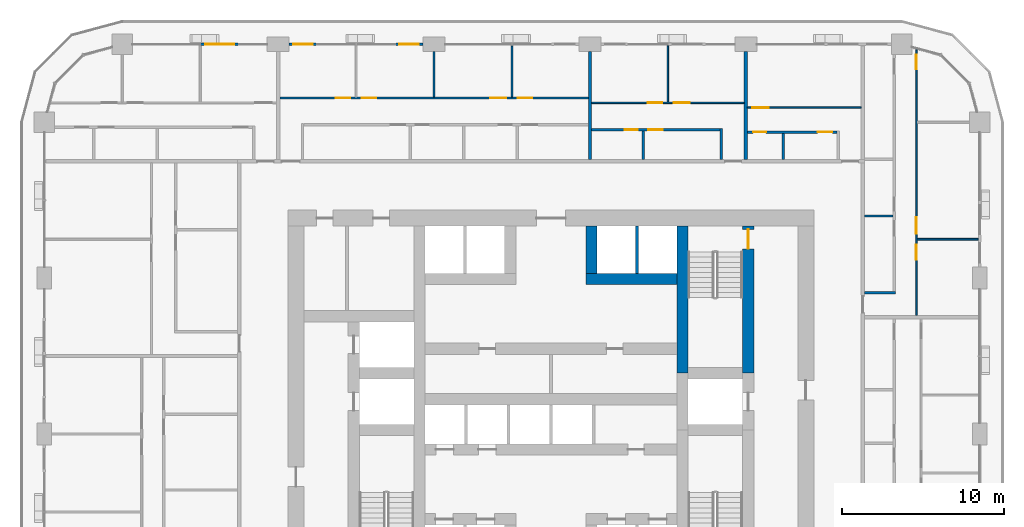
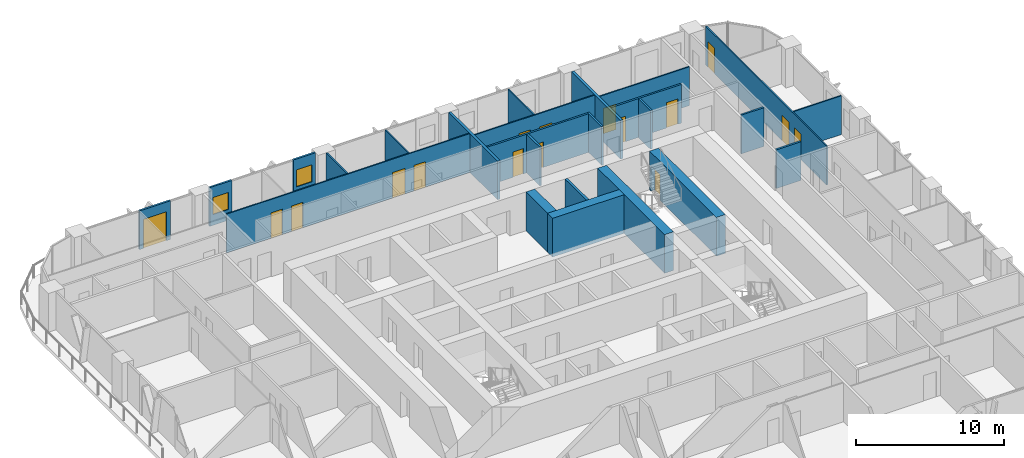
# One storey, part 14 of 21: 25 walls, 16 doors, 2 windows, 18 openings.
"""IFC4 building model written with IfcOpenShell, lengths in metres."""

from ifc_helpers import new_model, si_unit, direction, frame, frame_2d, origin, place, context, subcontext, project, spatial, rectangle, extrude, material, layer, layer_set, type_object, element, fill, save


model = new_model("IFC4")

# Units and contexts
model_context = context("Model", 3, precision=1e-05, world=origin(), true_north=direction((0.0, 1.0)))
body_context = subcontext(model_context, "Body", "Model", "MODEL_VIEW")
ifc_project = project(units=[si_unit("LENGTHUNIT", "METRE"), si_unit("AREAUNIT", "SQUARE_METRE"), si_unit("VOLUMEUNIT", "CUBIC_METRE"), si_unit("PLANEANGLEUNIT", "RADIAN"), si_unit("MASSUNIT", "GRAM", prefix="KILO")], contexts=[model_context])

# Site, building, storey
site_placement = place(None, origin())
site = spatial("IfcSite", under=ifc_project, at=site_placement, CompositionType="ELEMENT")
building_placement = place(site_placement, origin())
building = spatial("IfcBuilding", under=site, at=building_placement, Name="Madar Terraces", CompositionType="ELEMENT")
storey_placement = place(building_placement, frame((0.0, 0.0, 29.39990234375)))
storey = spatial("IfcBuildingStorey", under=building, at=storey_placement, Name="L06", CompositionType="ELEMENT", Elevation=29.39990234375)

# Wall
ifc_material_1 = material(Name="Concrete C80/95", Category="concrete")
ifc_layer_1 = layer(ifc_material_1, 0.699951171875)
ifc_layer_set_1 = layer_set([ifc_layer_1], Name="Concrete C80/95 (CIW1 RC wall 700)")
wall_type_1 = type_object("IfcWallType", Name="CIW1 RC wall 700", PredefinedType="SHEAR", material=ifc_layer_set_1)
wall_1_placement = place(storey_placement, frame((39.300048828125, 27.75, 0.0), z_axis=(0.0, 0.0, 1.0), x_axis=(0.0, 1.0, 0.0)))
element("IfcWall", 1, at=wall_1_placement, inside=storey, type_object=wall_type_1, Name="CORE SHAFT WALL", PredefinedType="SHEAR", context=body_context, shape_type="SweptSolid", body=[
    extrude(rectangle(XDim=9.050048828125, YDim=0.699951171875, at=frame_2d((4.52490234375, 0.0))), origin(), (0.0, 0.0, 1.0), 3.2001953125),
])

# Wall, opening, door
wall_2_placement = place(storey_placement, frame((43.35009765625, 27.75, 0.0), z_axis=(0.0, 0.0, 1.0), x_axis=(0.0, 1.0, 0.0)))
wall_2 = element("IfcWall", 2, at=wall_2_placement, inside=storey, type_object=wall_type_1, Name="CORE SHAFT WALL", PredefinedType="SHEAR", context=body_context, shape_type="SweptSolid", body=[
    extrude(rectangle(XDim=9.050048828125, YDim=0.699951171875, at=frame_2d((4.52490234375, 0.0))), origin(), (0.0, 0.0, 1.0), 3.2001953125),
])
opening_1_placement = place(wall_2_placement, frame((7.64990234375, 0.0, 0.0)))
opening_1 = element("IfcOpeningElement", 3, at=opening_1_placement, cuts=wall_2, Name="Opening SD1", PredefinedType="OPENING", context=body_context, shape_type="SweptSolid", body=[
    extrude(rectangle(XDim=1.199951171875, YDim=2.10009765625, at=frame_2d((0.60009765625, 1.050048828125))), frame((0.0, 0.35986328125, 0.0), z_axis=(0.0, -1.0, 0.0), x_axis=(1.0, 0.0, 0.0)), (0.0, 0.0, 1.0), 0.719970703125),
])
ifc_material_2 = material(Name="Steel door leaf", Category="steel")
door_type_1 = type_object("IfcDoorType", Name="Stair door 1200 x 2100", OperationType="NOTDEFINED", PredefinedType="DOOR", material=ifc_material_2)
door_1_placement = place(opening_1_placement, origin())
door_1 = element("IfcDoor", 4, at=door_1_placement, inside=storey, type_object=door_type_1, Name="STAIR DOOR", OperationType="SINGLE_SWING_RIGHT", OverallHeight=2.10009765625, OverallWidth=1.199951171875, PredefinedType="DOOR", context=body_context, shape_type="SweptSolid", body=[
    extrude(rectangle(XDim=1.199951171875, YDim=2.10009765625, at=frame_2d((0.60009765625, 1.050048828125))), frame((0.0, 0.02490234375, 0.0), z_axis=(0.0, -1.0, 0.0), x_axis=(1.0, 0.0, 0.0)), (0.0, 0.0, 1.0), 0.050048828125),
])
fill(opening_1, door_1)

# Walls
wall_3_placement = place(storey_placement, frame((33.35009765625, 33.550048828125, 0.0), z_axis=(0.0, 0.0, 1.0), x_axis=(1.0, 0.0, 0.0)))
element("IfcWall", 5, at=wall_3_placement, inside=storey, type_object=wall_type_1, Name="CORE SHAFT WALL", PredefinedType="SHEAR", context=body_context, shape_type="SweptSolid", body=[
    extrude(rectangle(XDim=5.599853515625, YDim=0.699951171875, at=frame_2d((2.7998046875, 0.0))), origin(), (0.0, 0.0, 1.0), 3.2001953125),
])
wall_4_placement = place(storey_placement, frame((33.699951171875, 33.89990234375, 0.0), z_axis=(0.0, 0.0, 1.0), x_axis=(0.0, 1.0, 0.0)))
element("IfcWall", 6, at=wall_4_placement, inside=storey, type_object=wall_type_1, Name="CORE SHAFT WALL", PredefinedType="SHEAR", context=body_context, shape_type="SweptSolid", body=[
    extrude(rectangle(XDim=2.900146484375, YDim=0.699951171875, at=frame_2d((1.4501953125, 0.0))), origin(), (0.0, 0.0, 1.0), 3.2001953125),
])
ifc_material_3 = material(Name="Concrete C40/50", Category="concrete")
ifc_layer_2 = layer(ifc_material_3, 0.199951171875)
ifc_layer_set_2 = layer_set([ifc_layer_2], Name="Core shaft dividing wall 200 C40/50")
wall_type_2 = type_object("IfcWallType", Name="Core shaft dividing wall 200 C40/50", PredefinedType="SOLIDWALL", material=ifc_layer_set_2)
wall_5_placement = place(storey_placement, frame((36.5, 33.89990234375, 0.0), z_axis=(0.0, 0.0, 1.0), x_axis=(0.0, 1.0, 0.0)))
element("IfcWall", 7, at=wall_5_placement, inside=storey, type_object=wall_type_2, Name="SHAFT DIVIDING WALL", PredefinedType="SOLIDWALL", context=body_context, shape_type="SweptSolid", body=[
    extrude(rectangle(XDim=2.900146484375, YDim=0.199951171875, at=frame_2d((1.4501953125, 0.0))), origin(), (0.0, 0.0, 1.0), 3.2001953125),
])

# Wall, opening, window
ifc_material_4 = material(Name="Aluminium composite panel, black, over insulated backing", Category="aluminium")
ifc_layer_3 = layer(ifc_material_4, 0.14990234375)
ifc_layer_set_3 = layer_set([ifc_layer_3], Name="Facade bay panel 150")
wall_type_3 = type_object("IfcWallType", Name="Facade bay panel 150", PredefinedType="SOLIDWALL", material=ifc_layer_set_3)
wall_6_placement = place(storey_placement, frame((23.324951171875, 48.0, 0.0), z_axis=(0.0, 0.0, 1.0), x_axis=(-1.0, 0.0, 0.0)))
wall_6 = element("IfcWall", 8, at=wall_6_placement, inside=storey, type_object=wall_type_3, Name="Facade bay panel", PredefinedType="SOLIDWALL", context=body_context, shape_type="SweptSolid", body=[
    extrude(rectangle(XDim=1.724853515625, YDim=0.14990234375, at=frame_2d((0.8623046875, 0.0))), origin(), (0.0, 0.0, 1.0), 3.2001953125),
])
opening_2_placement = place(wall_6_placement, frame((0.262451171875, 0.0, 0.89990234375)))
opening_2 = element("IfcOpeningElement", 9, at=opening_2_placement, cuts=wall_6, Name="Opening W1", PredefinedType="OPENING", context=body_context, shape_type="SweptSolid", body=[
    extrude(rectangle(XDim=1.199951171875, YDim=1.39990234375, at=frame_2d((0.60009765625, 0.699951171875))), frame((0.0, 0.0849609375, 0.0), z_axis=(0.0, -1.0, 0.0), x_axis=(1.0, 0.0, 0.0)), (0.0, 0.0, 1.0), 0.169921875),
])
ifc_material_5 = material(Name="Glass, clear, with black aluminium frame", Category="aluminium")
window_type = type_object("IfcWindowType", Name="Vent window 1200 x 1400", PartitioningType="SINGLE_PANEL", PredefinedType="WINDOW", material=ifc_material_5)
window_1_placement = place(opening_2_placement, origin())
window_1 = element("IfcWindow", 10, at=window_1_placement, inside=storey, type_object=window_type, Name="Operable vent window", OverallHeight=1.39990234375, OverallWidth=1.199951171875, PartitioningType="SINGLE_PANEL", PredefinedType="WINDOW", context=body_context, shape_type="SweptSolid", body=[
    extrude(rectangle(XDim=1.199951171875, YDim=1.39990234375, at=frame_2d((0.60009765625, 0.699951171875))), frame((0.0, 0.030029296875, 0.0), z_axis=(0.0, -1.0, 0.0), x_axis=(1.0, 0.0, 0.0)), (0.0, 0.0, 1.0), 0.06005859375),
])
fill(opening_2, window_1)

wall_7_placement = place(storey_placement, frame((16.800048828125, 48.0, 0.0), z_axis=(0.0, 0.0, 1.0), x_axis=(-1.0, 0.0, 0.0)))
wall_7 = element("IfcWall", 11, at=wall_7_placement, inside=storey, type_object=wall_type_3, Name="Facade bay panel", PredefinedType="SOLIDWALL", context=body_context, shape_type="SweptSolid", body=[
    extrude(rectangle(XDim=1.72509765625, YDim=0.14990234375, at=frame_2d((0.862548828125, 0.0))), origin(), (0.0, 0.0, 1.0), 3.2001953125),
])
opening_3_placement = place(wall_7_placement, frame((0.262451171875, 0.0, 0.89990234375)))
opening_3 = element("IfcOpeningElement", 12, at=opening_3_placement, cuts=wall_7, Name="Opening W1", PredefinedType="OPENING", context=body_context, shape_type="SweptSolid", body=[
    extrude(rectangle(XDim=1.199951171875, YDim=1.39990234375, at=frame_2d((0.60009765625, 0.699951171875))), frame((0.0, 0.0849609375, 0.0), z_axis=(0.0, -1.0, 0.0), x_axis=(1.0, 0.0, 0.0)), (0.0, 0.0, 1.0), 0.169921875),
])
window_2_placement = place(opening_3_placement, origin())
window_2 = element("IfcWindow", 13, at=window_2_placement, inside=storey, type_object=window_type, Name="Operable vent window", OverallHeight=1.39990234375, OverallWidth=1.199951171875, PartitioningType="SINGLE_PANEL", PredefinedType="WINDOW", context=body_context, shape_type="SweptSolid", body=[
    extrude(rectangle(XDim=1.199951171875, YDim=1.39990234375, at=frame_2d((0.60009765625, 0.699951171875))), frame((0.0, 0.030029296875, 0.0), z_axis=(0.0, -1.0, 0.0), x_axis=(1.0, 0.0, 0.0)), (0.0, 0.0, 1.0), 0.06005859375),
])
fill(opening_3, window_2)

# Wall, opening, door
wall_8_placement = place(storey_placement, frame((12.0, 48.0, 0.0), z_axis=(0.0, 0.0, 1.0), x_axis=(-1.0, 0.0, 0.0)))
wall_8 = element("IfcWall", 14, at=wall_8_placement, inside=storey, type_object=wall_type_3, Name="Facade bay panel", PredefinedType="SOLIDWALL", context=body_context, shape_type="SweptSolid", body=[
    extrude(rectangle(XDim=2.39990234375, YDim=0.14990234375, at=frame_2d((1.199951171875, 0.0))), origin(), (0.0, 0.0, 1.0), 3.2001953125),
])
opening_4_placement = place(wall_8_placement, frame((0.300048828125, 0.0, 0.0)))
opening_4 = element("IfcOpeningElement", 15, at=opening_4_placement, cuts=wall_8, Name="Opening ED1", PredefinedType="OPENING", context=body_context, shape_type="SweptSolid", body=[
    extrude(rectangle(XDim=1.800048828125, YDim=2.39990234375, at=frame_2d((0.89990234375, 1.199951171875))), frame((0.0, 0.0849609375, 0.0), z_axis=(0.0, -1.0, 0.0), x_axis=(1.0, 0.0, 0.0)), (0.0, 0.0, 1.0), 0.169921875),
])
ifc_material_6 = material(Name="Glass, clear, with black aluminium frame", Category="aluminium")
door_type_2 = type_object("IfcDoorType", Name="Balcony and terrace sliding door 1800 x 2400", OperationType="SLIDING_TO_LEFT", PredefinedType="DOOR", material=ifc_material_6)
door_2_placement = place(opening_4_placement, origin())
door_2 = element("IfcDoor", 16, at=door_2_placement, inside=storey, type_object=door_type_2, Name="Balcony door", OperationType="SLIDING_TO_LEFT", OverallHeight=2.39990234375, OverallWidth=1.800048828125, PredefinedType="DOOR", context=body_context, shape_type="SweptSolid", body=[
    extrude(rectangle(XDim=1.800048828125, YDim=2.39990234375, at=frame_2d((0.89990234375, 1.199951171875))), frame((0.0, 0.02490234375, 0.0), z_axis=(0.0, -1.0, 0.0), x_axis=(1.0, 0.0, 0.0)), (0.0, 0.0, 1.0), 0.050048828125),
])
fill(opening_4, door_2)

# Wall
ifc_material_7 = material(Name="Gypsum board on steel studs", Category="steel")
ifc_layer_4 = layer(ifc_material_7, 0.10009765625)
ifc_layer_set_4 = layer_set([ifc_layer_4], Name="Flat partition 100")
wall_type_4 = type_object("IfcWallType", Name="Flat partition 100", PredefinedType="PARTITIONING", material=ifc_layer_set_4)
wall_9_placement = place(storey_placement, frame((53.75, 36.0, 0.0), z_axis=(0.0, 0.0, 1.0), x_axis=(1.0, 0.0, 0.0)))
element("IfcWall", 17, at=wall_9_placement, inside=storey, type_object=wall_type_4, Name="Flat partition 100", PredefinedType="PARTITIONING", context=body_context, shape_type="SweptSolid", body=[
    extrude(rectangle(XDim=3.75, YDim=0.10009765625, at=frame_2d((1.875, 0.0))), origin(), (0.0, 0.0, 1.0), 3.2001953125),
])

# Wall, openings, doors
wall_10_placement = place(storey_placement, frame((53.699951171875, 47.65869140625, 0.0), z_axis=(0.0, 0.0, 1.0), x_axis=(0.0, -1.0, 0.0)))
wall_10 = element("IfcWall", 18, at=wall_10_placement, inside=storey, type_object=wall_type_4, Name="Flat partition 100", PredefinedType="PARTITIONING", context=body_context, shape_type="SweptSolid", body=[
    extrude(rectangle(XDim=16.358642578125, YDim=0.10009765625, at=frame_2d((8.17919921875, 0.0))), origin(), (0.0, 0.0, 1.0), 3.2001953125),
])
opening_5_placement = place(wall_10_placement, frame((12.0087890625, 0.0, 0.0)))
opening_5 = element("IfcOpeningElement", 19, at=opening_5_placement, cuts=wall_10, Name="Opening D2", PredefinedType="OPENING", context=body_context, shape_type="SweptSolid", body=[
    extrude(rectangle(XDim=0.89990234375, YDim=2.10009765625, at=frame_2d((0.449951171875, 1.050048828125))), frame((0.0, 0.06005859375, 0.0), z_axis=(0.0, -1.0, 0.0), x_axis=(1.0, 0.0, 0.0)), (0.0, 0.0, 1.0), 0.1201171875),
])
opening_6_placement = place(wall_10_placement, frame((10.308837890625, 0.0, 0.0)))
opening_6 = element("IfcOpeningElement", 20, at=opening_6_placement, cuts=wall_10, Name="Opening D3", PredefinedType="OPENING", context=body_context, shape_type="SweptSolid", body=[
    extrude(rectangle(XDim=1.0, YDim=2.10009765625, at=frame_2d((0.5, 1.050048828125))), frame((0.0, 0.06005859375, 0.0), z_axis=(0.0, -1.0, 0.0), x_axis=(1.0, 0.0, 0.0)), (0.0, 0.0, 1.0), 0.1201171875),
])
opening_7_placement = place(wall_10_placement, frame((0.300048828125, 0.0, 0.0)))
opening_7 = element("IfcOpeningElement", 21, at=opening_7_placement, cuts=wall_10, Name="Opening D2", PredefinedType="OPENING", context=body_context, shape_type="SweptSolid", body=[
    extrude(rectangle(XDim=0.89990234375, YDim=2.10009765625, at=frame_2d((0.449951171875, 1.050048828125))), frame((0.0, 0.06005859375, 0.0), z_axis=(0.0, -1.0, 0.0), x_axis=(1.0, 0.0, 0.0)), (0.0, 0.0, 1.0), 0.1201171875),
])
ifc_material_8 = material(Name="Timber door leaf", Category="wood")
door_type_3 = type_object("IfcDoorType", Name="Flat living room door 1000", OperationType="NOTDEFINED", PredefinedType="DOOR", material=ifc_material_8)
door_3_placement = place(opening_6_placement, origin())
door_3 = element("IfcDoor", 22, at=door_3_placement, inside=storey, type_object=door_type_3, Name="Flat living room door 1000", OperationType="SINGLE_SWING_RIGHT", OverallHeight=2.10009765625, OverallWidth=1.0, PredefinedType="DOOR", context=body_context, shape_type="SweptSolid", body=[
    extrude(rectangle(XDim=1.0, YDim=2.10009765625, at=frame_2d((0.5, 1.050048828125))), frame((0.0, 0.02490234375, 0.0), z_axis=(0.0, -1.0, 0.0), x_axis=(1.0, 0.0, 0.0)), (0.0, 0.0, 1.0), 0.050048828125),
])
fill(opening_6, door_3)
ifc_material_9 = material(Name="Timber door leaf", Category="wood")
door_type_4 = type_object("IfcDoorType", Name="Flat room door 900", OperationType="NOTDEFINED", PredefinedType="DOOR", material=ifc_material_9)
door_4_placement = place(opening_5_placement, origin())
door_4 = element("IfcDoor", 23, at=door_4_placement, inside=storey, type_object=door_type_4, Name="Flat room door 900", OperationType="SINGLE_SWING_LEFT", OverallHeight=2.10009765625, OverallWidth=0.89990234375, PredefinedType="DOOR", context=body_context, shape_type="SweptSolid", body=[
    extrude(rectangle(XDim=0.89990234375, YDim=2.10009765625, at=frame_2d((0.449951171875, 1.050048828125))), frame((0.0, 0.02490234375, 0.0), z_axis=(0.0, -1.0, 0.0), x_axis=(1.0, 0.0, 0.0)), (0.0, 0.0, 1.0), 0.050048828125),
])
fill(opening_5, door_4)
door_5_placement = place(opening_7_placement, origin())
door_5 = element("IfcDoor", 24, at=door_5_placement, inside=storey, type_object=door_type_4, Name="Flat room door 900", OperationType="SINGLE_SWING_LEFT", OverallHeight=2.10009765625, OverallWidth=0.89990234375, PredefinedType="DOOR", context=body_context, shape_type="SweptSolid", body=[
    extrude(rectangle(XDim=0.89990234375, YDim=2.10009765625, at=frame_2d((0.449951171875, 1.050048828125))), frame((0.0, 0.02490234375, 0.0), z_axis=(0.0, -1.0, 0.0), x_axis=(1.0, 0.0, 0.0)), (0.0, 0.0, 1.0), 0.050048828125),
])
fill(opening_7, door_5)

# Wall, opening, door
wall_11_placement = place(storey_placement, frame((43.300048828125, 44.10009765625, 0.0), z_axis=(0.0, 0.0, 1.0), x_axis=(1.0, 0.0, 0.0)))
wall_11 = element("IfcWall", 25, at=wall_11_placement, inside=storey, type_object=wall_type_4, Name="Flat partition 100", PredefinedType="PARTITIONING", context=body_context, shape_type="SweptSolid", body=[
    extrude(rectangle(XDim=7.0, YDim=0.10009765625, at=frame_2d((3.5, 0.0))), origin(), (0.0, 0.0, 1.0), 3.2001953125),
])
opening_8_placement = place(wall_11_placement, frame((0.300048828125, 0.0, 0.0)))
opening_8 = element("IfcOpeningElement", 26, at=opening_8_placement, cuts=wall_11, Name="Opening D3", PredefinedType="OPENING", context=body_context, shape_type="SweptSolid", body=[
    extrude(rectangle(XDim=1.0, YDim=2.10009765625, at=frame_2d((0.5, 1.050048828125))), frame((0.0, 0.06005859375, 0.0), z_axis=(0.0, -1.0, 0.0), x_axis=(1.0, 0.0, 0.0)), (0.0, 0.0, 1.0), 0.1201171875),
])
door_6_placement = place(opening_8_placement, origin())
door_6 = element("IfcDoor", 27, at=door_6_placement, inside=storey, type_object=door_type_3, Name="Flat living room door 1000", OperationType="SINGLE_SWING_LEFT", OverallHeight=2.10009765625, OverallWidth=1.0, PredefinedType="DOOR", context=body_context, shape_type="SweptSolid", body=[
    extrude(rectangle(XDim=1.0, YDim=2.10009765625, at=frame_2d((0.5, 1.050048828125))), frame((0.0, 0.02490234375, 0.0), z_axis=(0.0, -1.0, 0.0), x_axis=(1.0, 0.0, 0.0)), (0.0, 0.0, 1.0), 0.050048828125),
])
fill(opening_8, door_6)

# Wall
wall_12_placement = place(storey_placement, frame((38.39990234375, 44.449951171875, 0.0), z_axis=(0.0, 0.0, 1.0), x_axis=(0.0, 1.0, 0.0)))
element("IfcWall", 28, at=wall_12_placement, inside=storey, type_object=wall_type_4, Name="Flat partition 100", PredefinedType="PARTITIONING", context=body_context, shape_type="SweptSolid", body=[
    extrude(rectangle(XDim=3.449951171875, YDim=0.10009765625, at=frame_2d((1.72509765625, 0.0))), origin(), (0.0, 0.0, 1.0), 3.2001953125),
])

# Wall, openings, doors
wall_13_placement = place(storey_placement, frame((33.699951171875, 44.39990234375, 0.0), z_axis=(0.0, 0.0, 1.0), x_axis=(1.0, 0.0, 0.0)))
wall_13 = element("IfcWall", 29, at=wall_13_placement, inside=storey, type_object=wall_type_4, Name="Flat partition 100", PredefinedType="PARTITIONING", context=body_context, shape_type="SweptSolid", body=[
    extrude(rectangle(XDim=9.400146484375, YDim=0.10009765625, at=frame_2d((4.7001953125, 0.0))), origin(), (0.0, 0.0, 1.0), 3.2001953125),
])
opening_9_placement = place(wall_13_placement, frame((5.050048828125, 0.0, 0.0)))
opening_9 = element("IfcOpeningElement", 30, at=opening_9_placement, cuts=wall_13, Name="Opening D3", PredefinedType="OPENING", context=body_context, shape_type="SweptSolid", body=[
    extrude(rectangle(XDim=1.0, YDim=2.10009765625, at=frame_2d((0.5, 1.050048828125))), frame((0.0, 0.06005859375, 0.0), z_axis=(0.0, -1.0, 0.0), x_axis=(1.0, 0.0, 0.0)), (0.0, 0.0, 1.0), 0.1201171875),
])
opening_10_placement = place(wall_13_placement, frame((3.449951171875, 0.0, 0.0)))
opening_10 = element("IfcOpeningElement", 31, at=opening_10_placement, cuts=wall_13, Name="Opening D2", PredefinedType="OPENING", context=body_context, shape_type="SweptSolid", body=[
    extrude(rectangle(XDim=0.89990234375, YDim=2.10009765625, at=frame_2d((0.449951171875, 1.050048828125))), frame((0.0, 0.06005859375, 0.0), z_axis=(0.0, -1.0, 0.0), x_axis=(1.0, 0.0, 0.0)), (0.0, 0.0, 1.0), 0.1201171875),
])
door_7_placement = place(opening_9_placement, origin())
door_7 = element("IfcDoor", 32, at=door_7_placement, inside=storey, type_object=door_type_3, Name="Flat living room door 1000", OperationType="SINGLE_SWING_LEFT", OverallHeight=2.10009765625, OverallWidth=1.0, PredefinedType="DOOR", context=body_context, shape_type="SweptSolid", body=[
    extrude(rectangle(XDim=1.0, YDim=2.10009765625, at=frame_2d((0.5, 1.050048828125))), frame((0.0, 0.02490234375, 0.0), z_axis=(0.0, -1.0, 0.0), x_axis=(1.0, 0.0, 0.0)), (0.0, 0.0, 1.0), 0.050048828125),
])
fill(opening_9, door_7)
door_8_placement = place(opening_10_placement, origin())
door_8 = element("IfcDoor", 33, at=door_8_placement, inside=storey, type_object=door_type_4, Name="Flat room door 900", OperationType="SINGLE_SWING_RIGHT", OverallHeight=2.10009765625, OverallWidth=0.89990234375, PredefinedType="DOOR", context=body_context, shape_type="SweptSolid", body=[
    extrude(rectangle(XDim=0.89990234375, YDim=2.10009765625, at=frame_2d((0.449951171875, 1.050048828125))), frame((0.0, 0.02490234375, 0.0), z_axis=(0.0, -1.0, 0.0), x_axis=(1.0, 0.0, 0.0)), (0.0, 0.0, 1.0), 0.050048828125),
])
fill(opening_10, door_8)

# Walls
wall_14_placement = place(storey_placement, frame((24.0, 44.75, 0.0), z_axis=(0.0, 0.0, 1.0), x_axis=(0.0, 1.0, 0.0)))
element("IfcWall", 34, at=wall_14_placement, inside=storey, type_object=wall_type_4, Name="Flat partition 100", PredefinedType="PARTITIONING", context=body_context, shape_type="SweptSolid", body=[
    extrude(rectangle(XDim=2.800048828125, YDim=0.10009765625, at=frame_2d((1.39990234375, 0.0))), origin(), (0.0, 0.0, 1.0), 3.2001953125),
])
wall_15_placement = place(storey_placement, frame((28.800048828125, 44.75, 0.0), z_axis=(0.0, 0.0, 1.0), x_axis=(0.0, 1.0, 0.0)))
element("IfcWall", 35, at=wall_15_placement, inside=storey, type_object=wall_type_4, Name="Flat partition 100", PredefinedType="PARTITIONING", context=body_context, shape_type="SweptSolid", body=[
    extrude(rectangle(XDim=3.14990234375, YDim=0.10009765625, at=frame_2d((1.574951171875, 0.0))), origin(), (0.0, 0.0, 1.0), 3.2001953125),
])

# Wall, openings, doors
wall_16_placement = place(storey_placement, frame((14.5, 44.699951171875, 0.0), z_axis=(0.0, 0.0, 1.0), x_axis=(1.0, 0.0, 0.0)))
wall_16 = element("IfcWall", 36, at=wall_16_placement, inside=storey, type_object=wall_type_4, Name="Flat partition 100", PredefinedType="PARTITIONING", context=body_context, shape_type="SweptSolid", body=[
    extrude(rectangle(XDim=19.0, YDim=0.10009765625, at=frame_2d((9.5, 0.0))), origin(), (0.0, 0.0, 1.0), 3.2001953125),
])
opening_11_placement = place(wall_16_placement, frame((3.449951171875, 0.0, 0.0)))
opening_11 = element("IfcOpeningElement", 37, at=opening_11_placement, cuts=wall_16, Name="Opening D2", PredefinedType="OPENING", context=body_context, shape_type="SweptSolid", body=[
    extrude(rectangle(XDim=0.89990234375, YDim=2.10009765625, at=frame_2d((0.449951171875, 1.050048828125))), frame((0.0, 0.06005859375, 0.0), z_axis=(0.0, -1.0, 0.0), x_axis=(1.0, 0.0, 0.0)), (0.0, 0.0, 1.0), 0.1201171875),
])
opening_12_placement = place(wall_16_placement, frame((5.050048828125, 0.0, 0.0)))
opening_12 = element("IfcOpeningElement", 38, at=opening_12_placement, cuts=wall_16, Name="Opening D2", PredefinedType="OPENING", context=body_context, shape_type="SweptSolid", body=[
    extrude(rectangle(XDim=0.89990234375, YDim=2.10009765625, at=frame_2d((0.449951171875, 1.050048828125))), frame((0.0, 0.06005859375, 0.0), z_axis=(0.0, -1.0, 0.0), x_axis=(1.0, 0.0, 0.0)), (0.0, 0.0, 1.0), 0.1201171875),
])
opening_13_placement = place(wall_16_placement, frame((12.949951171875, 0.0, 0.0)))
opening_13 = element("IfcOpeningElement", 39, at=opening_13_placement, cuts=wall_16, Name="Opening D3", PredefinedType="OPENING", context=body_context, shape_type="SweptSolid", body=[
    extrude(rectangle(XDim=1.0, YDim=2.10009765625, at=frame_2d((0.5, 1.050048828125))), frame((0.0, 0.06005859375, 0.0), z_axis=(0.0, -1.0, 0.0), x_axis=(1.0, 0.0, 0.0)), (0.0, 0.0, 1.0), 0.1201171875),
])
opening_14_placement = place(wall_16_placement, frame((14.64990234375, 0.0, 0.0)))
opening_14 = element("IfcOpeningElement", 40, at=opening_14_placement, cuts=wall_16, Name="Opening D2", PredefinedType="OPENING", context=body_context, shape_type="SweptSolid", body=[
    extrude(rectangle(XDim=0.89990234375, YDim=2.10009765625, at=frame_2d((0.449951171875, 1.050048828125))), frame((0.0, 0.06005859375, 0.0), z_axis=(0.0, -1.0, 0.0), x_axis=(1.0, 0.0, 0.0)), (0.0, 0.0, 1.0), 0.1201171875),
])
door_9_placement = place(opening_13_placement, origin())
door_9 = element("IfcDoor", 41, at=door_9_placement, inside=storey, type_object=door_type_3, Name="Flat living room door 1000", OperationType="SINGLE_SWING_RIGHT", OverallHeight=2.10009765625, OverallWidth=1.0, PredefinedType="DOOR", context=body_context, shape_type="SweptSolid", body=[
    extrude(rectangle(XDim=1.0, YDim=2.10009765625, at=frame_2d((0.5, 1.050048828125))), frame((0.0, 0.02490234375, 0.0), z_axis=(0.0, -1.0, 0.0), x_axis=(1.0, 0.0, 0.0)), (0.0, 0.0, 1.0), 0.050048828125),
])
fill(opening_13, door_9)
door_10_placement = place(opening_11_placement, origin())
door_10 = element("IfcDoor", 42, at=door_10_placement, inside=storey, type_object=door_type_4, Name="Flat room door 900", OperationType="SINGLE_SWING_RIGHT", OverallHeight=2.10009765625, OverallWidth=0.89990234375, PredefinedType="DOOR", context=body_context, shape_type="SweptSolid", body=[
    extrude(rectangle(XDim=0.89990234375, YDim=2.10009765625, at=frame_2d((0.449951171875, 1.050048828125))), frame((0.0, 0.02490234375, 0.0), z_axis=(0.0, -1.0, 0.0), x_axis=(1.0, 0.0, 0.0)), (0.0, 0.0, 1.0), 0.050048828125),
])
fill(opening_11, door_10)
door_11_placement = place(opening_12_placement, origin())
door_11 = element("IfcDoor", 43, at=door_11_placement, inside=storey, type_object=door_type_4, Name="Flat room door 900", OperationType="SINGLE_SWING_LEFT", OverallHeight=2.10009765625, OverallWidth=0.89990234375, PredefinedType="DOOR", context=body_context, shape_type="SweptSolid", body=[
    extrude(rectangle(XDim=0.89990234375, YDim=2.10009765625, at=frame_2d((0.449951171875, 1.050048828125))), frame((0.0, 0.02490234375, 0.0), z_axis=(0.0, -1.0, 0.0), x_axis=(1.0, 0.0, 0.0)), (0.0, 0.0, 1.0), 0.050048828125),
])
fill(opening_12, door_11)
door_12_placement = place(opening_14_placement, origin())
door_12 = element("IfcDoor", 44, at=door_12_placement, inside=storey, type_object=door_type_4, Name="Flat room door 900", OperationType="SINGLE_SWING_LEFT", OverallHeight=2.10009765625, OverallWidth=0.89990234375, PredefinedType="DOOR", context=body_context, shape_type="SweptSolid", body=[
    extrude(rectangle(XDim=0.89990234375, YDim=2.10009765625, at=frame_2d((0.449951171875, 1.050048828125))), frame((0.0, 0.02490234375, 0.0), z_axis=(0.0, -1.0, 0.0), x_axis=(1.0, 0.0, 0.0)), (0.0, 0.0, 1.0), 0.050048828125),
])
fill(opening_14, door_12)

# Walls
ifc_material_10 = material(Name="Lightweight blockwork", Category="masonry")
ifc_layer_5 = layer(ifc_material_10, 0.199951171875)
ifc_layer_set_5 = layer_set([ifc_layer_5], Name="Flat party and entrance wall 200")
wall_type_5 = type_object("IfcWallType", Name="Flat party and entrance wall 200", PredefinedType="PARTITIONING", material=ifc_layer_set_5)
for number, where, z_axis, x_axis, name in (
    (45, (43.199951171875, 47.550048828125, 0.0), (0.0, 0.0, 1.0), (0.0, -1.0, 0.0), "Flat party and entrance wall 200"),
    (46, (33.60009765625, 47.550048828125, 0.0), (0.0, 0.0, 1.0), (0.0, -1.0, 0.0), "Flat party and entrance wall 200"),
):
    element("IfcWall", number, at=place(storey_placement, frame(where, z_axis=z_axis, x_axis=x_axis)), inside=storey, type_object=wall_type_5, Name=name, PredefinedType="PARTITIONING", context=body_context, shape_type="SweptSolid", body=[
        extrude(rectangle(XDim=6.650146484375, YDim=0.199951171875, at=frame_2d((3.3251953125, 0.0))), origin(), (0.0, 0.0, 1.0), 3.2001953125),
    ])
ifc_material_11 = material(Name="Lightweight blockwork", Category="masonry")
ifc_layer_6 = layer(ifc_material_11, 0.14990234375)
ifc_layer_set_6 = layer_set([ifc_layer_6], Name="Flat wet-room partition 150")
wall_type_6 = type_object("IfcWallType", Name="Flat wet-room partition 150", PredefinedType="PARTITIONING", material=ifc_layer_set_6)
wall_17_placement = place(storey_placement, frame((50.5, 37.4287109375, 0.0), z_axis=(0.0, 0.0, 1.0), x_axis=(1.0, 0.0, 0.0)))
element("IfcWall", 47, at=wall_17_placement, inside=storey, type_object=wall_type_6, Name="Flat wet-room partition 150", PredefinedType="PARTITIONING", context=body_context, shape_type="SweptSolid", body=[
    extrude(rectangle(XDim=1.77490234375, YDim=0.14990234375, at=frame_2d((0.887451171875, 0.0))), origin(), (0.0, 0.0, 1.0), 3.2001953125),
])
wall_18_placement = place(storey_placement, frame((50.5, 32.699951171875, 0.0), z_axis=(0.0, 0.0, 1.0), x_axis=(1.0, 0.0, 0.0)))
element("IfcWall", 48, at=wall_18_placement, inside=storey, type_object=wall_type_6, Name="Flat wet-room partition 150", PredefinedType="PARTITIONING", context=body_context, shape_type="SweptSolid", body=[
    extrude(rectangle(XDim=1.925048828125, YDim=0.14990234375, at=frame_2d((0.96240234375, 0.0))), origin(), (0.0, 0.0, 1.0), 3.2001953125),
])
wall_19_placement = place(storey_placement, frame((45.510009765625, 40.89990234375, 0.0), z_axis=(0.0, 0.0, 1.0), x_axis=(0.0, 1.0, 0.0)))
element("IfcWall", 49, at=wall_19_placement, inside=storey, type_object=wall_type_6, Name="Flat wet-room partition 150", PredefinedType="PARTITIONING", context=body_context, shape_type="SweptSolid", body=[
    extrude(rectangle(XDim=1.625, YDim=0.14990234375, at=frame_2d((0.8125, 0.0))), origin(), (0.0, 0.0, 1.0), 3.2001953125),
])

# Wall, openings, doors
wall_20_placement = place(storey_placement, frame((48.824951171875, 42.60009765625, 0.0), z_axis=(0.0, 0.0, 1.0), x_axis=(-1.0, 0.0, 0.0)))
wall_20 = element("IfcWall", 50, at=wall_20_placement, inside=storey, type_object=wall_type_6, Name="Flat wet-room partition 150", PredefinedType="PARTITIONING", context=body_context, shape_type="SweptSolid", body=[
    extrude(rectangle(XDim=5.52490234375, YDim=0.14990234375, at=frame_2d((2.762451171875, 0.0))), origin(), (0.0, 0.0, 1.0), 3.2001953125),
])
opening_15_placement = place(wall_20_placement, frame((0.300048828125, 0.0, 0.0)))
opening_15 = element("IfcOpeningElement", 51, at=opening_15_placement, cuts=wall_20, Name="Opening D2", PredefinedType="OPENING", context=body_context, shape_type="SweptSolid", body=[
    extrude(rectangle(XDim=0.89990234375, YDim=2.10009765625, at=frame_2d((0.449951171875, 1.050048828125))), frame((0.0, 0.0849609375, 0.0), z_axis=(0.0, -1.0, 0.0), x_axis=(1.0, 0.0, 0.0)), (0.0, 0.0, 1.0), 0.169921875),
])
opening_16_placement = place(wall_20_placement, frame((4.375, 0.0, 0.0)))
opening_16 = element("IfcOpeningElement", 52, at=opening_16_placement, cuts=wall_20, Name="Opening D4", PredefinedType="OPENING", context=body_context, shape_type="SweptSolid", body=[
    extrude(rectangle(XDim=0.800048828125, YDim=2.10009765625, at=frame_2d((0.39990234375, 1.050048828125))), frame((0.0, 0.0849609375, 0.0), z_axis=(0.0, -1.0, 0.0), x_axis=(1.0, 0.0, 0.0)), (0.0, 0.0, 1.0), 0.169921875),
])
ifc_material_12 = material(Name="Timber door leaf", Category="wood")
door_type_5 = type_object("IfcDoorType", Name="Flat bathroom door 800", OperationType="NOTDEFINED", PredefinedType="DOOR", material=ifc_material_12)
door_13_placement = place(opening_16_placement, origin())
door_13 = element("IfcDoor", 53, at=door_13_placement, inside=storey, type_object=door_type_5, Name="Flat bathroom door 800", OperationType="SINGLE_SWING_RIGHT", OverallHeight=2.10009765625, OverallWidth=0.800048828125, PredefinedType="DOOR", context=body_context, shape_type="SweptSolid", body=[
    extrude(rectangle(XDim=0.800048828125, YDim=2.10009765625, at=frame_2d((0.39990234375, 1.050048828125))), frame((0.0, 0.02490234375, 0.0), z_axis=(0.0, -1.0, 0.0), x_axis=(1.0, 0.0, 0.0)), (0.0, 0.0, 1.0), 0.050048828125),
])
fill(opening_16, door_13)
door_14_placement = place(opening_15_placement, origin())
door_14 = element("IfcDoor", 54, at=door_14_placement, inside=storey, type_object=door_type_4, Name="Flat room door 900", OperationType="SINGLE_SWING_LEFT", OverallHeight=2.10009765625, OverallWidth=0.89990234375, PredefinedType="DOOR", context=body_context, shape_type="SweptSolid", body=[
    extrude(rectangle(XDim=0.89990234375, YDim=2.10009765625, at=frame_2d((0.449951171875, 1.050048828125))), frame((0.0, 0.02490234375, 0.0), z_axis=(0.0, -1.0, 0.0), x_axis=(1.0, 0.0, 0.0)), (0.0, 0.0, 1.0), 0.050048828125),
])
fill(opening_15, door_14)

# Walls
wall_21_placement = place(storey_placement, frame((36.8701171875, 40.89990234375, 0.0), z_axis=(0.0, 0.0, 1.0), x_axis=(0.0, 1.0, 0.0)))
element("IfcWall", 55, at=wall_21_placement, inside=storey, type_object=wall_type_6, Name="Flat wet-room partition 150", PredefinedType="PARTITIONING", context=body_context, shape_type="SweptSolid", body=[
    extrude(rectangle(XDim=1.775146484375, YDim=0.14990234375, at=frame_2d((0.8876953125, 0.0))), origin(), (0.0, 0.0, 1.0), 3.2001953125),
])
wall_22_placement = place(storey_placement, frame((41.699951171875, 40.89990234375, 0.0), z_axis=(0.0, 0.0, 1.0), x_axis=(0.0, 1.0, 0.0)))
element("IfcWall", 56, at=wall_22_placement, inside=storey, type_object=wall_type_6, Name="Flat wet-room partition 150", PredefinedType="PARTITIONING", context=body_context, shape_type="SweptSolid", body=[
    extrude(rectangle(XDim=1.925048828125, YDim=0.14990234375, at=frame_2d((0.96240234375, 0.0))), origin(), (0.0, 0.0, 1.0), 3.2001953125),
])

# Wall, openings, doors
wall_23_placement = place(storey_placement, frame((41.625, 42.75, 0.0), z_axis=(0.0, 0.0, 1.0), x_axis=(-1.0, 0.0, 0.0)))
wall_23 = element("IfcWall", 57, at=wall_23_placement, inside=storey, type_object=wall_type_6, Name="Flat wet-room partition 150", PredefinedType="PARTITIONING", context=body_context, shape_type="SweptSolid", body=[
    extrude(rectangle(XDim=7.925048828125, YDim=0.14990234375, at=frame_2d((3.96240234375, 0.0))), origin(), (0.0, 0.0, 1.0), 3.2001953125),
])
opening_17_placement = place(wall_23_placement, frame((3.530029296875, 0.0, 0.0)))
opening_17 = element("IfcOpeningElement", 58, at=opening_17_placement, cuts=wall_23, Name="Opening D2", PredefinedType="OPENING", context=body_context, shape_type="SweptSolid", body=[
    extrude(rectangle(XDim=0.89990234375, YDim=2.10009765625, at=frame_2d((0.449951171875, 1.050048828125))), frame((0.0, 0.0849609375, 0.0), z_axis=(0.0, -1.0, 0.0), x_axis=(1.0, 0.0, 0.0)), (0.0, 0.0, 1.0), 0.169921875),
])
opening_18_placement = place(wall_23_placement, frame((5.080078125, 0.0, 0.0)))
opening_18 = element("IfcOpeningElement", 59, at=opening_18_placement, cuts=wall_23, Name="Opening D4", PredefinedType="OPENING", context=body_context, shape_type="SweptSolid", body=[
    extrude(rectangle(XDim=0.800048828125, YDim=2.10009765625, at=frame_2d((0.39990234375, 1.050048828125))), frame((0.0, 0.0849609375, 0.0), z_axis=(0.0, -1.0, 0.0), x_axis=(1.0, 0.0, 0.0)), (0.0, 0.0, 1.0), 0.169921875),
])
door_15_placement = place(opening_18_placement, origin())
door_15 = element("IfcDoor", 60, at=door_15_placement, inside=storey, type_object=door_type_5, Name="Flat bathroom door 800", OperationType="SINGLE_SWING_LEFT", OverallHeight=2.10009765625, OverallWidth=0.800048828125, PredefinedType="DOOR", context=body_context, shape_type="SweptSolid", body=[
    extrude(rectangle(XDim=0.800048828125, YDim=2.10009765625, at=frame_2d((0.39990234375, 1.050048828125))), frame((0.0, 0.02490234375, 0.0), z_axis=(0.0, -1.0, 0.0), x_axis=(1.0, 0.0, 0.0)), (0.0, 0.0, 1.0), 0.050048828125),
])
fill(opening_18, door_15)
door_16_placement = place(opening_17_placement, origin())
door_16 = element("IfcDoor", 61, at=door_16_placement, inside=storey, type_object=door_type_4, Name="Flat room door 900", OperationType="SINGLE_SWING_RIGHT", OverallHeight=2.10009765625, OverallWidth=0.89990234375, PredefinedType="DOOR", context=body_context, shape_type="SweptSolid", body=[
    extrude(rectangle(XDim=0.89990234375, YDim=2.10009765625, at=frame_2d((0.449951171875, 1.050048828125))), frame((0.0, 0.02490234375, 0.0), z_axis=(0.0, -1.0, 0.0), x_axis=(1.0, 0.0, 0.0)), (0.0, 0.0, 1.0), 0.050048828125),
])
fill(opening_17, door_16)

save(model, "model.ifc")
